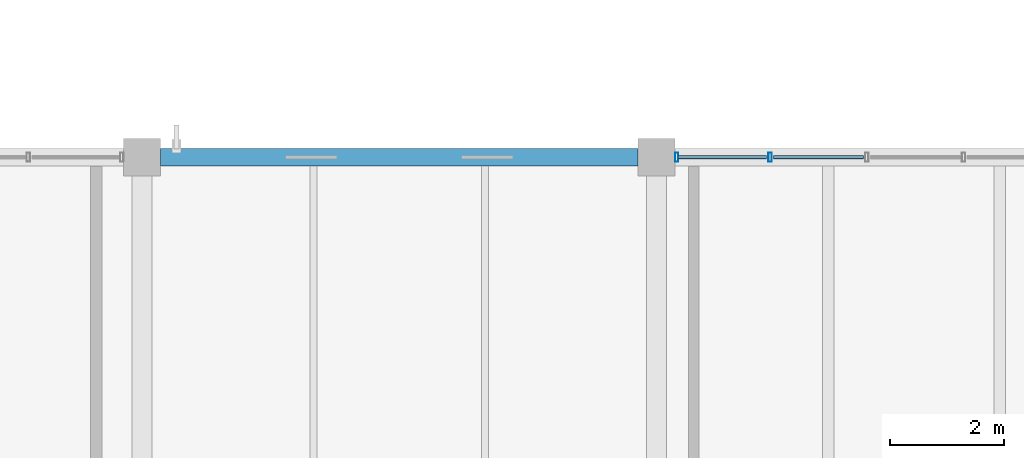
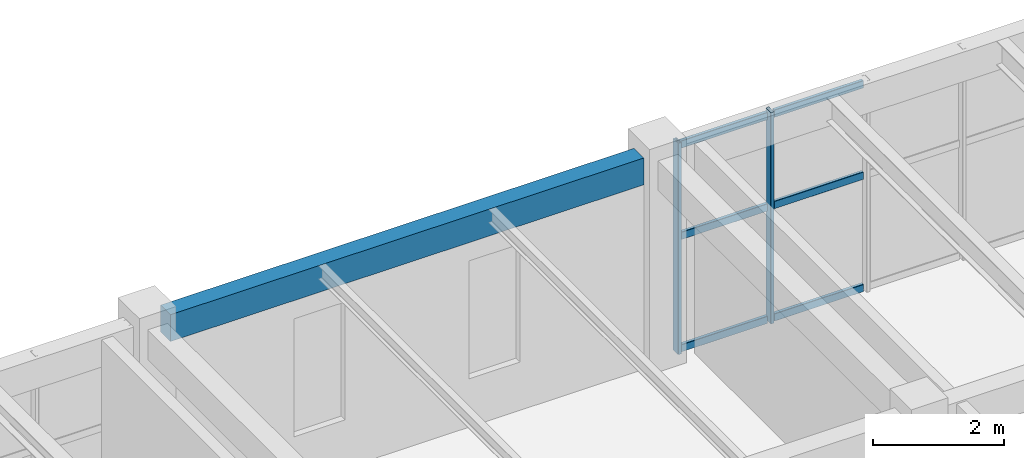
# One storey, part 51 of 71: 8 members, 1 beam, 1 element without a shape of its own.
"""IFC4 building model written with IfcOpenShell, lengths in metres."""

import ifcopenshell
import ifcopenshell.guid

model = None  # the IFC model being written
_history = None  # IfcOwnerHistory: only IFC2X3 demands one
_inside = {}  # id of a spatial element -> (the spatial element, [elements in it])
_under = {}  # id of a project, library or spatial element -> (it, [spatial elements below it])
_declared = {}  # id of a project -> (the project, [libraries it declares])
_typed = {}  # id of a type object -> (the type object, [elements of that type])
_made_of = {}  # id of a material, layer set ... -> (it, [elements and type objects made of it])


def new_model(schema):
    """Start an empty IFC model of exactly this schema.

    Asked for "IFC4X3", IfcOpenShell would pick the latest addendum, in which some entities
    have other attributes; the version numbers below select the first issue.
    IFC2X3 requires an IfcOwnerHistory on every rooted entity: one is made here for all.
    """
    global model, _history
    if schema == "IFC4X3":
        model = ifcopenshell.file(schema_version=(4, 3, 0, 0))
    else:
        model = ifcopenshell.file(schema=schema)
    _inside.clear()
    _under.clear()
    _declared.clear()
    _typed.clear()
    _made_of.clear()
    _history = None
    if model.schema == "IFC2X3":
        org = make("IfcOrganization", Name="unknown")
        user = make(
            "IfcPersonAndOrganization",
            ThePerson=make("IfcPerson", FamilyName="unknown"),
            TheOrganization=org,
        )
        app = make(
            "IfcApplication",
            ApplicationDeveloper=org,
            Version="unknown",
            ApplicationFullName="unknown",
            ApplicationIdentifier="unknown",
        )
        _history = make(
            "IfcOwnerHistory",
            OwningUser=user,
            OwningApplication=app,
            ChangeAction="ADDED",
            CreationDate=0,
        )
    return model


def make(cls, **values):
    """One entity of the class cls with the attributes given. An attribute that is None is left unset."""
    return model.create_entity(
        cls, **{name: value for name, value in values.items() if value is not None}
    )


def rooted(cls, **values):
    """An entity with a GlobalId (a new one), such as an element, a storey or a relation."""
    return make(cls, GlobalId=ifcopenshell.guid.new(), OwnerHistory=_history, **values)


def si_unit(unit_type, name, prefix=None):
    """IfcSIUnit, for example si_unit("LENGTHUNIT", "METRE", prefix="MILLI")."""
    return make("IfcSIUnit", UnitType=unit_type, Prefix=prefix, Name=name)


def derived_unit(unit_type, elements):
    """IfcDerivedUnit: a product of units, each with its exponent."""
    return make(
        "IfcDerivedUnit",
        Elements=[
            make("IfcDerivedUnitElement", Unit=unit, Exponent=power)
            for unit, power in elements
        ],
        UnitType=unit_type,
    )


def assignment(units):
    """IfcUnitAssignment: the units of a project."""
    return None if units is None else make("IfcUnitAssignment", Units=units)


def point(xyz):
    """IfcCartesianPoint."""
    return None if xyz is None else make("IfcCartesianPoint", Coordinates=xyz)


def direction(xyz):
    """IfcDirection."""
    return None if xyz is None else make("IfcDirection", DirectionRatios=xyz)


def frame(location, z_axis=None, x_axis=None):
    """IfcAxis2Placement3D, a coordinate frame: its origin and axes. An axis left out is left unset."""
    return make(
        "IfcAxis2Placement3D",
        Location=point(location),
        Axis=direction(z_axis),
        RefDirection=direction(x_axis),
    )


def frame_2d(location, x_axis=None):
    """IfcAxis2Placement2D, a coordinate frame in the plane: its origin and x axis."""
    return make(
        "IfcAxis2Placement2D", Location=point(location), RefDirection=direction(x_axis)
    )


def origin():
    """The frame at (0, 0, 0) with its axes left unset."""
    return frame((0.0, 0.0, 0.0))


def origin_2d():
    """The frame at (0, 0) in the plane with its x axis left unset."""
    return frame_2d((0.0, 0.0))


def place(relative_to, where):
    """IfcLocalPlacement: puts the frame where relative to a parent placement (None: the world)."""
    return make(
        "IfcLocalPlacement", PlacementRelTo=relative_to, RelativePlacement=where
    )


def context(
    kind, dimensions, precision=None, world=None, true_north=None, identifier=None
):
    """IfcGeometricRepresentationContext, for example the 3D "Model" context."""
    return make(
        "IfcGeometricRepresentationContext",
        ContextIdentifier=identifier,
        ContextType=kind,
        CoordinateSpaceDimension=dimensions,
        Precision=precision,
        WorldCoordinateSystem=world,
        TrueNorth=true_north,
    )


def subcontext(parent, identifier, kind, view, scale=None):
    """IfcGeometricRepresentationSubContext, for example "Body" below "Model"."""
    return make(
        "IfcGeometricRepresentationSubContext",
        ContextIdentifier=identifier,
        ContextType=kind,
        ParentContext=parent,
        TargetScale=scale,
        TargetView=view,
    )


def project(units=None, contexts=None):
    """IfcProject with its units and contexts."""
    return rooted(
        "IfcProject",
        Name="project",
        RepresentationContexts=contexts,
        UnitsInContext=assignment(units),
    )


def spatial(cls, under=None, at=None, **own):
    """A site, building, storey or space (cls), placed at a placement, below another one or the project."""
    s = rooted(cls, ObjectPlacement=at, **own)
    if under is not None:
        _under.setdefault(under.id(), (under, []))[1].append(s)
    return s


def profile(cls, at=None, kind="AREA", **sizes):
    """A parametric profile (cls). Its sizes go by their IFC names, for example OverallWidth=200.0."""
    return make(cls, ProfileType=kind, Position=at, **sizes)


def rectangle(**sizes):
    """IfcRectangleProfileDef."""
    return profile("IfcRectangleProfileDef", **sizes)


def hollow_rectangle(**sizes):
    """IfcRectangleHollowProfileDef."""
    return profile("IfcRectangleHollowProfileDef", **sizes)


def extrude(swept, where, along, depth):
    """IfcExtrudedAreaSolid: the profile swept, set in the frame where, extruded along a direction by depth."""
    return make(
        "IfcExtrudedAreaSolid",
        SweptArea=swept,
        Position=where,
        ExtrudedDirection=direction(along),
        Depth=depth,
    )


def shape(context_of_items, identifier, shape_type, items):
    """IfcShapeRepresentation: the items that make up one representation, for example the "Body"."""
    return make(
        "IfcShapeRepresentation",
        ContextOfItems=context_of_items,
        RepresentationIdentifier=identifier,
        RepresentationType=shape_type,
        Items=items,
    )


def material(Name=None, Category=None):
    """IfcMaterial."""
    return make("IfcMaterial", Name=Name, Category=Category)


def material_profile(
    of_material, cross_section, Name=None, Category=None, Priority=None
):
    """IfcMaterialProfile: a cross section and its material."""
    return make(
        "IfcMaterialProfile",
        Name=Name,
        Material=of_material,
        Profile=cross_section,
        Priority=Priority,
        Category=Category,
    )


def profile_set(profiles, Name=None, composite=None):
    """IfcMaterialProfileSet."""
    return make(
        "IfcMaterialProfileSet",
        Name=Name,
        MaterialProfiles=profiles,
        CompositeProfile=composite,
    )


def made_of(thing, what):
    """Note that an element or type object is made of a material, layer set ...; save() writes the relation."""
    if what is not None:
        _made_of.setdefault(what.id(), (what, []))[1].append(thing)
    return thing


def type_object(cls, material=None, **own):
    """A type object (cls), such as IfcWallType, which elements share."""
    return made_of(rooted(cls, **own), material)


def element(
    cls,
    number,
    at=None,
    inside=None,
    cuts=None,
    type_object=None,
    material=None,
    context=None,
    identifier="Body",
    shape_type=None,
    held_by="IfcProductDefinitionShape",
    body=None,
    shapes=None,
    **own,
):
    """One element of the class cls, such as IfcWall. Its Tag is "e" and its number.

    at: its placement. inside: the storey or other place that contains it. cuts: it is an
    opening in that element (IfcRelVoidsElement). A single representation is given by context,
    identifier, shape_type and body (its items); several are given by shapes. held_by: the class
    of the entity that holds the representations. save() writes the other relations.
    """
    e = rooted(cls, Tag="e%d" % number, ObjectPlacement=at, **own)
    if body is not None:
        shapes = [shape(context, identifier, shape_type, body)]
    if shapes is not None:
        e.Representation = make(held_by, Representations=shapes)
    if inside is not None:
        _inside.setdefault(inside.id(), (inside, []))[1].append(e)
    if cuts is not None:
        rooted(
            "IfcRelVoidsElement", RelatingBuildingElement=cuts, RelatedOpeningElement=e
        )
    if type_object is not None:
        _typed.setdefault(type_object.id(), (type_object, []))[1].append(e)
    return made_of(e, material)


def aggregate(whole, parts):
    """IfcRelAggregates: a whole, such as a stair, and the parts it consists of."""
    return rooted("IfcRelAggregates", RelatingObject=whole, RelatedObjects=parts)


def save(model, path):
    """Write the relations noted so far, then the file.

    IfcRelAggregates (storeys below a building ...), IfcRelContainedInSpatialStructure (elements
    in a storey), IfcRelDefinesByType, IfcRelAssociatesMaterial and IfcRelDeclares: one each for
    every whole, place, type object, material and project.
    """
    for whole, parts in _under.values():
        aggregate(whole, parts)
    for where, things in _inside.values():
        rooted(
            "IfcRelContainedInSpatialStructure",
            RelatedElements=things,
            RelatingStructure=where,
        )
    for kind, things in _typed.values():
        rooted("IfcRelDefinesByType", RelatedObjects=things, RelatingType=kind)
    for what, things in _made_of.values():
        rooted("IfcRelAssociatesMaterial", RelatedObjects=things, RelatingMaterial=what)
    for by, libraries in _declared.values():
        rooted("IfcRelDeclares", RelatingContext=by, RelatedDefinitions=libraries)
    model.write(path)


model = new_model("IFC4")

# Units and contexts
model_context = context("Model", 3, precision=1e-05, world=origin(), true_north=direction((0.0, 1.0)))
body_context = subcontext(model_context, "Body", "Model", "MODEL_VIEW")
ifc_project = project(units=[si_unit("LENGTHUNIT", "METRE"), si_unit("AREAUNIT", "SQUARE_METRE"), si_unit("VOLUMEUNIT", "CUBIC_METRE"), si_unit("PLANEANGLEUNIT", "RADIAN"), si_unit("MASSUNIT", "GRAM", prefix="KILO"), derived_unit("THERMALTRANSMITTANCEUNIT", [(si_unit("MASSUNIT", "GRAM", prefix="KILO"), 1), (si_unit("TIMEUNIT", "SECOND"), -3), (si_unit("THERMODYNAMICTEMPERATUREUNIT", "KELVIN"), -1)])], contexts=[model_context])

# Site, building, storey
site_placement = place(None, origin())
site = spatial("IfcSite", under=ifc_project, at=site_placement, CompositionType="ELEMENT")
building_placement = place(site_placement, origin())
building = spatial("IfcBuilding", under=site, at=building_placement, Name="Zhenchuan Archway Interchange", CompositionType="ELEMENT")
storey_placement = place(building_placement, frame((0.0, 0.0, 18.60009765625)))
storey = spatial("IfcBuildingStorey", under=building, at=storey_placement, Name="L04", CompositionType="ELEMENT", Elevation=18.60009765625)

# Curtain wall, members
ifc_material_1 = material(Name="Anodised Aluminium", Category="aluminium")
curtain_wall_type = type_object("IfcCurtainWallType", Name="CW_UNIT_3", PredefinedType="NOTDEFINED", material=ifc_material_1)
curtain_wall_placement = place(storey_placement, origin())
curtain_wall = element("IfcCurtainWall", 1, at=curtain_wall_placement, inside=storey, type_object=curtain_wall_type, Name="Unitised curtain wall CW:L04:194", PredefinedType="NOTDEFINED")
ifc_material_profile_1 = material_profile(ifc_material_1, hollow_rectangle(XDim=0.06005859375, YDim=0.159912109375, WallThickness=0.00390625, InnerFilletRadius=0.00390625, OuterFilletRadius=0.008056640625, at=origin_2d()), Name="ALU 160x60x4")
ifc_profile_set_1 = profile_set([ifc_material_profile_1], Name="Anodised Aluminium")
member_type_1 = type_object("IfcMemberType", Name="CW_MUL_150", PredefinedType="MULLION", material=ifc_profile_set_1)
member_1_placement = place(storey_placement, frame((162.35302734375, 104.0, 0.0), z_axis=(0.0, 0.0, 1.0), x_axis=(1.0, 0.0, 0.0)))
member_1 = element("IfcMember", 2, at=member_1_placement, type_object=member_type_1, Name="CW:L04:194 mullion 0", PredefinedType="MULLION", context=body_context, shape_type="SweptSolid", body=[
    extrude(hollow_rectangle(XDim=0.06005859375, YDim=0.159912109375, WallThickness=0.00390625, InnerFilletRadius=0.00390625, OuterFilletRadius=0.008056640625, at=origin_2d()), origin(), (0.0, 0.0, 1.0), 3.93994140625),
])
member_2_placement = place(storey_placement, frame((163.98583984375, 104.0, 0.0), z_axis=(0.0, 0.0, 1.0), x_axis=(1.0, 0.0, 0.0)))
member_2 = element("IfcMember", 3, at=member_2_placement, type_object=member_type_1, Name="CW:L04:194 mullion 1", PredefinedType="MULLION", context=body_context, shape_type="SweptSolid", body=[
    extrude(hollow_rectangle(XDim=0.06005859375, YDim=0.159912109375, WallThickness=0.00390625, InnerFilletRadius=0.00390625, OuterFilletRadius=0.008056640625, at=origin_2d()), origin(), (0.0, 0.0, 1.0), 3.93994140625),
])
ifc_material_profile_2 = material_profile(ifc_material_1, hollow_rectangle(XDim=0.06005859375, YDim=0.139892578125, WallThickness=0.00341796875, InnerFilletRadius=0.00341796875, OuterFilletRadius=0.007080078125, at=origin_2d()), Name="ALU 140x60x3.5")
ifc_profile_set_2 = profile_set([ifc_material_profile_2], Name="Anodised Aluminium")
member_type_2 = type_object("IfcMemberType", Name="CW_TRN_140", PredefinedType="USERDEFINED", material=ifc_profile_set_2)
member_3_placement = place(storey_placement, frame((162.373046875, 104.0, 0.059814453125), z_axis=(1.0, 0.0, 0.0), x_axis=(0.0, 1.0, 0.0)))
member_3 = element("IfcMember", 4, at=member_3_placement, type_object=member_type_2, Name="CW:L04:194 transom 0-1", ObjectType="TRANSOM", PredefinedType="USERDEFINED", context=body_context, shape_type="SweptSolid", body=[
    extrude(hollow_rectangle(XDim=0.06005859375, YDim=0.139892578125, WallThickness=0.00341796875, InnerFilletRadius=0.00341796875, OuterFilletRadius=0.007080078125, at=origin_2d()), origin(), (0.0, 0.0, 1.0), 1.552734375),
])
member_4_placement = place(storey_placement, frame((162.373046875, 104.0, 2.156005859375), z_axis=(1.0, 0.0, 0.0), x_axis=(0.0, 1.0, 0.0)))
member_4 = element("IfcMember", 5, at=member_4_placement, type_object=member_type_2, Name="CW:L04:194 transom 0-2", ObjectType="TRANSOM", PredefinedType="USERDEFINED", context=body_context, shape_type="SweptSolid", body=[
    extrude(hollow_rectangle(XDim=0.06005859375, YDim=0.139892578125, WallThickness=0.00341796875, InnerFilletRadius=0.00341796875, OuterFilletRadius=0.007080078125, at=origin_2d()), origin(), (0.0, 0.0, 1.0), 1.552734375),
])
member_5_placement = place(storey_placement, frame((162.373046875, 104.0, 3.85986328125), z_axis=(1.0, 0.0, 0.0), x_axis=(0.0, 1.0, 0.0)))
member_5 = element("IfcMember", 6, at=member_5_placement, type_object=member_type_2, Name="CW:L04:194 transom 0-3", ObjectType="TRANSOM", PredefinedType="USERDEFINED", context=body_context, shape_type="SweptSolid", body=[
    extrude(hollow_rectangle(XDim=0.06005859375, YDim=0.139892578125, WallThickness=0.00341796875, InnerFilletRadius=0.00341796875, OuterFilletRadius=0.007080078125, at=origin_2d()), origin(), (0.0, 0.0, 1.0), 1.552734375),
])
member_6_placement = place(storey_placement, frame((164.0458984375, 104.0, 0.059814453125), z_axis=(1.0, 0.0, 0.0), x_axis=(0.0, 1.0, 0.0)))
member_6 = element("IfcMember", 7, at=member_6_placement, type_object=member_type_2, Name="CW:L04:194 transom 1-1", ObjectType="TRANSOM", PredefinedType="USERDEFINED", context=body_context, shape_type="SweptSolid", body=[
    extrude(hollow_rectangle(XDim=0.06005859375, YDim=0.139892578125, WallThickness=0.00341796875, InnerFilletRadius=0.00341796875, OuterFilletRadius=0.007080078125, at=origin_2d()), origin(), (0.0, 0.0, 1.0), 1.57275390625),
])
member_7_placement = place(storey_placement, frame((164.0458984375, 104.0, 2.156005859375), z_axis=(1.0, 0.0, 0.0), x_axis=(0.0, 1.0, 0.0)))
member_7 = element("IfcMember", 8, at=member_7_placement, type_object=member_type_2, Name="CW:L04:194 transom 1-2", ObjectType="TRANSOM", PredefinedType="USERDEFINED", context=body_context, shape_type="SweptSolid", body=[
    extrude(hollow_rectangle(XDim=0.06005859375, YDim=0.139892578125, WallThickness=0.00341796875, InnerFilletRadius=0.00341796875, OuterFilletRadius=0.007080078125, at=origin_2d()), origin(), (0.0, 0.0, 1.0), 1.57275390625),
])
member_8_placement = place(storey_placement, frame((164.0458984375, 104.0, 3.85986328125), z_axis=(1.0, 0.0, 0.0), x_axis=(0.0, 1.0, 0.0)))
member_8 = element("IfcMember", 9, at=member_8_placement, type_object=member_type_2, Name="CW:L04:194 transom 1-3", ObjectType="TRANSOM", PredefinedType="USERDEFINED", context=body_context, shape_type="SweptSolid", body=[
    extrude(hollow_rectangle(XDim=0.06005859375, YDim=0.139892578125, WallThickness=0.00341796875, InnerFilletRadius=0.00341796875, OuterFilletRadius=0.007080078125, at=origin_2d()), origin(), (0.0, 0.0, 1.0), 1.57275390625),
])
aggregate(curtain_wall, [member_1, member_2, member_3, member_4, member_5, member_6, member_7, member_8])

# Beam
ifc_material_2 = material(Name="Concrete C40", Category="concrete")
ifc_material_profile_3 = material_profile(ifc_material_2, rectangle(XDim=0.300048828125, YDim=0.5, at=origin_2d()), Name="RC 300x500")
ifc_profile_set_3 = profile_set([ifc_material_profile_3], Name="Concrete C40")
beam_type = type_object("IfcBeamType", Name="SP_RC_300x500", PredefinedType="SPANDREL", material=ifc_profile_set_3)
beam_placement = place(storey_placement, frame((153.324951171875, 104.0, 3.68994140625), z_axis=(1.0, 0.0, 0.0), x_axis=(0.0, 1.0, 0.0)))
element("IfcBeam", 10, at=beam_placement, inside=storey, type_object=beam_type, Name="Beam O:18-19 (L04)", PredefinedType="SPANDREL", context=body_context, shape_type="SweptSolid", body=[
    extrude(rectangle(XDim=0.300048828125, YDim=0.5, at=origin_2d()), origin(), (0.0, 0.0, 1.0), 8.35009765625),
])

save(model, "model.ifc")
